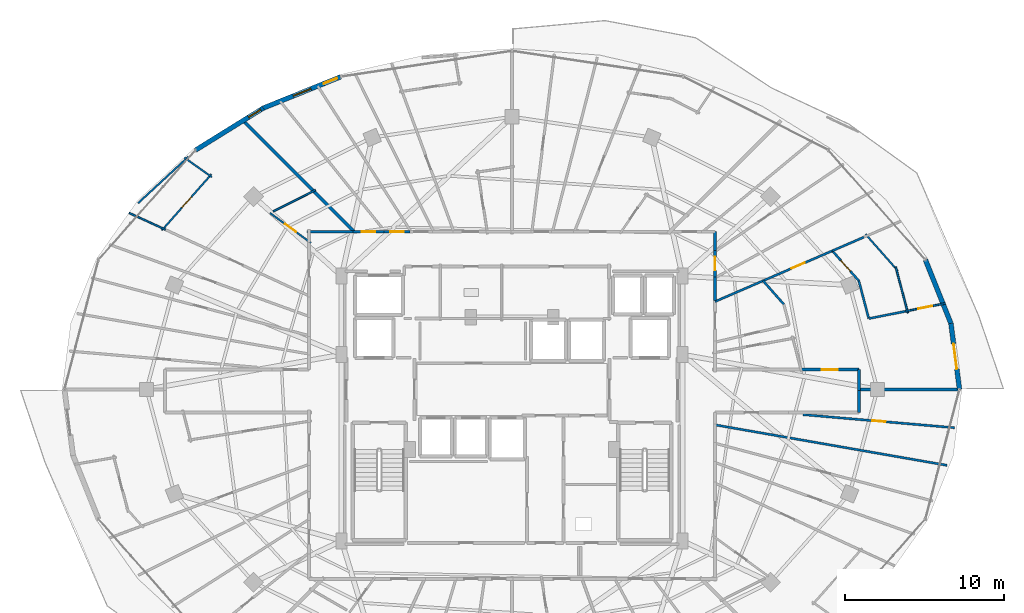
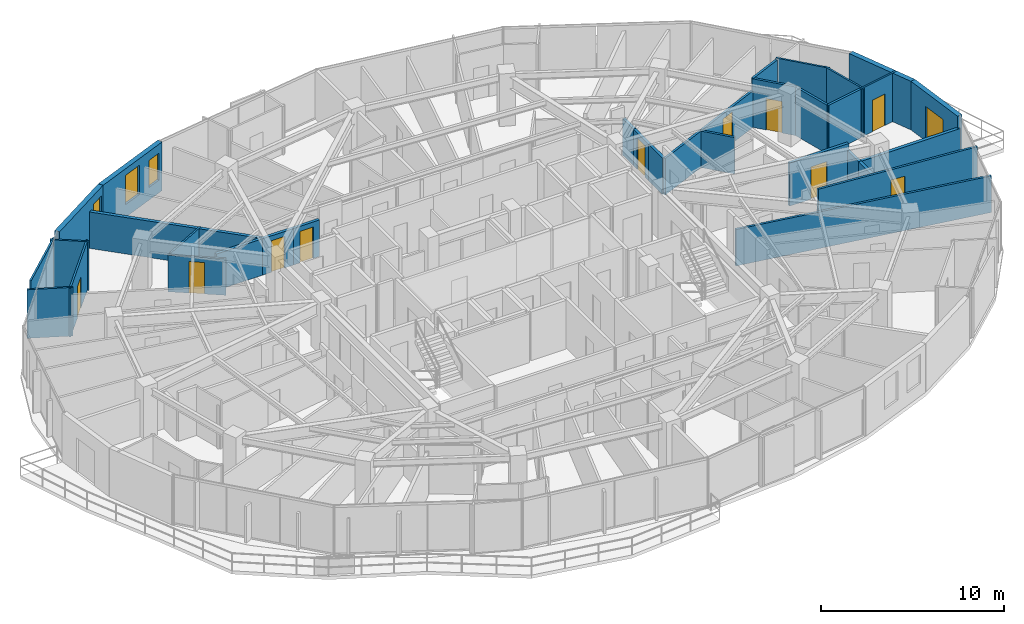
# One storey, part 28 of 33: 33 walls, 11 doors, 3 windows, 14 openings.
"""IFC4 building model written with IfcOpenShell, lengths in metres."""

from ifc_helpers import new_model, si_unit, direction, frame, frame_2d, origin, place, context, subcontext, project, spatial, rectangle, extrude, material, layer, layer_set, type_object, element, fill, save


model = new_model("IFC4")

# Units and contexts
model_context = context("Model", 3, precision=1e-05, world=origin(), true_north=direction((0.0, 1.0)))
body_context = subcontext(model_context, "Body", "Model", "MODEL_VIEW")
ifc_project = project(units=[si_unit("LENGTHUNIT", "METRE"), si_unit("AREAUNIT", "SQUARE_METRE"), si_unit("VOLUMEUNIT", "CUBIC_METRE"), si_unit("PLANEANGLEUNIT", "RADIAN"), si_unit("MASSUNIT", "GRAM", prefix="KILO")], contexts=[model_context])

# Site, building, storey
site_placement = place(None, origin())
site = spatial("IfcSite", under=ifc_project, at=site_placement, CompositionType="ELEMENT")
building_placement = place(site_placement, origin())
building = spatial("IfcBuilding", under=site, at=building_placement, Name="Vorneva Point Tower", CompositionType="ELEMENT")
storey_placement = place(building_placement, frame((0.0, 0.0, 179.10009765625)))
storey = spatial("IfcBuildingStorey", under=building, at=storey_placement, Name="L48", CompositionType="ELEMENT", Elevation=179.10009765625)

# Wall, opening, door
ifc_material_1 = material(Name="Precast concrete B50 (C40/50)", Category="concrete")
ifc_layer_1 = layer(ifc_material_1, 0.300048828125)
ifc_layer_set_1 = layer_set([ifc_layer_1], Name="Precast concrete B50 (C40/50)")
wall_type_1 = type_object("IfcWallType", Name="WL-EXT-300", PredefinedType="STANDARD", material=ifc_layer_set_1)
wall_1_placement = place(storey_placement, frame((66.22998046875, 26.0, 0.0), z_axis=(0.0, 0.0, 1.0), x_axis=(-0.129147853268, 0.991625348605, 0.0)))
wall_1 = element("IfcWall", 1, at=wall_1_placement, inside=storey, type_object=wall_type_1, Name="L48 Pale-Metal Facade Spandrel Wall 01.1", PredefinedType="STANDARD", context=body_context, shape_type="SweptSolid", body=[
    extrude(rectangle(XDim=4.200439453125, YDim=0.300048828125, at=frame_2d((2.10009765625, 0.0))), origin(), (0.0, 0.0, 1.0), 3.239990234375),
])
opening_1_placement = place(wall_1_placement, frame((1.30029296875, 0.0, 0.0)))
opening_1 = element("IfcOpeningElement", 2, at=opening_1_placement, cuts=wall_1, Name="Opening BD-01", PredefinedType="OPENING", context=body_context, shape_type="SweptSolid", body=[
    extrude(rectangle(XDim=1.60009765625, YDim=2.300048828125, at=frame_2d((0.800048828125, 1.14990234375))), frame((0.0, 0.1650390625, 0.0), z_axis=(0.0, -1.0, 0.0), x_axis=(1.0, 0.0, 0.0)), (0.0, 0.0, 1.0), 0.329833984375),
])
ifc_material_2 = material(Name="Pale anodised aluminium", Category="aluminium")
door_type_1 = type_object("IfcDoorType", Name="DR-BAL-1600", OperationType="SLIDING_TO_LEFT", PredefinedType="DOOR", material=ifc_material_2)
door_1_placement = place(opening_1_placement, origin())
door_1 = element("IfcDoor", 3, at=door_1_placement, inside=storey, type_object=door_type_1, Name="L48 Balcony Terrace Access Door 01", OperationType="SLIDING_TO_LEFT", OverallHeight=2.300048828125, OverallWidth=1.60009765625, PredefinedType="DOOR", context=body_context, shape_type="SweptSolid", body=[
    extrude(rectangle(XDim=1.60009765625, YDim=2.300048828125, at=frame_2d((0.800048828125, 1.14990234375))), frame((0.0, 0.02490234375, 0.0), z_axis=(0.0, -1.0, 0.0), x_axis=(1.0, 0.0, 0.0)), (0.0, 0.0, 1.0), 0.050048828125),
])
fill(opening_1, door_1)

# Wall
wall_2_placement = place(storey_placement, frame((65.6875, 30.165283203125, 0.0), z_axis=(0.0, 0.0, 1.0), x_axis=(-0.372268409848, 0.928125116043, 0.0)))
element("IfcWall", 4, at=wall_2_placement, inside=storey, type_object=wall_type_1, Name="L48 Pale-Metal Facade Spandrel Wall 01.2", PredefinedType="STANDARD", context=body_context, shape_type="SweptSolid", body=[
    extrude(rectangle(XDim=4.315185546875, YDim=0.300048828125, at=frame_2d((2.15771484375, 0.0))), origin(), (0.0, 0.0, 1.0), 3.239990234375),
])

# Wall, openings, windows
wall_3_placement = place(storey_placement, frame((27.19677734375, 45.724853515625, 0.0), z_axis=(0.0, 0.0, 1.0), x_axis=(-0.927111094334, -0.374786630981, 0.0)))
wall_3 = element("IfcWall", 5, at=wall_3_placement, inside=storey, type_object=wall_type_1, Name="L48 Pale-Metal Facade Spandrel Wall 06.1", PredefinedType="STANDARD", context=body_context, shape_type="SweptSolid", body=[
    extrude(rectangle(XDim=5.26416015625, YDim=0.300048828125, at=frame_2d((2.632080078125, 0.0))), origin(), (0.0, 0.0, 1.0), 3.239990234375),
])
opening_2_placement = place(wall_3_placement, frame((0.25830078125, 0.0, 0.85009765625)))
opening_2 = element("IfcOpeningElement", 6, at=opening_2_placement, cuts=wall_3, Name="Opening W-08", PredefinedType="OPENING", context=body_context, shape_type="SweptSolid", body=[
    extrude(rectangle(XDim=0.89990234375, YDim=1.800048828125, at=frame_2d((0.449951171875, 0.89990234375))), frame((0.0, 0.1650390625, 0.0), z_axis=(0.0, -1.0, 0.0), x_axis=(1.0, 0.0, 0.0)), (0.0, 0.0, 1.0), 0.329833984375),
])
opening_3_placement = place(wall_3_placement, frame((2.031982421875, 0.0, 0.85009765625)))
opening_3 = element("IfcOpeningElement", 7, at=opening_3_placement, cuts=wall_3, Name="Opening W-04", PredefinedType="OPENING", context=body_context, shape_type="SweptSolid", body=[
    extrude(rectangle(XDim=1.199951171875, YDim=1.949951171875, at=frame_2d((0.60009765625, 0.97509765625))), frame((0.0, 0.1650390625, 0.0), z_axis=(0.0, -1.0, 0.0), x_axis=(1.0, 0.0, 0.0)), (0.0, 0.0, 1.0), 0.329833984375),
])
ifc_material_3 = material(Name="Double low-e laminated glass IGU", Category="glass")
window_type_1 = type_object("IfcWindowType", Name="WN-CAS-900", PartitioningType="SINGLE_PANEL", PredefinedType="WINDOW", material=ifc_material_3)
window_1_placement = place(opening_2_placement, origin())
window_1 = element("IfcWindow", 8, at=window_1_placement, inside=storey, type_object=window_type_1, Name="L48 Dwelling Vision Window 01", OverallHeight=1.800048828125, OverallWidth=0.89990234375, PartitioningType="SINGLE_PANEL", PredefinedType="WINDOW", context=body_context, shape_type="SweptSolid", body=[
    extrude(rectangle(XDim=0.89990234375, YDim=1.800048828125, at=frame_2d((0.449951171875, 0.89990234375))), frame((0.0, 0.030029296875, 0.0), z_axis=(0.0, -1.0, 0.0), x_axis=(1.0, 0.0, 0.0)), (0.0, 0.0, 1.0), 0.06005859375),
])
fill(opening_2, window_1)
window_type_2 = type_object("IfcWindowType", Name="WN-RES-1200", PartitioningType="SINGLE_PANEL", PredefinedType="WINDOW", material=ifc_material_3)
window_2_placement = place(opening_3_placement, origin())
window_2 = element("IfcWindow", 9, at=window_2_placement, inside=storey, type_object=window_type_2, Name="L48 Dwelling Vision Window 02", OverallHeight=1.949951171875, OverallWidth=1.199951171875, PartitioningType="SINGLE_PANEL", PredefinedType="WINDOW", context=body_context, shape_type="SweptSolid", body=[
    extrude(rectangle(XDim=1.199951171875, YDim=1.949951171875, at=frame_2d((0.60009765625, 0.97509765625))), frame((0.0, 0.030029296875, 0.0), z_axis=(0.0, -1.0, 0.0), x_axis=(1.0, 0.0, 0.0)), (0.0, 0.0, 1.0), 0.06005859375),
])
fill(opening_3, window_2)

# Wall, opening, window
wall_4_placement = place(storey_placement, frame((22.31640625, 43.751953125, 0.0), z_axis=(0.0, 0.0, 1.0), x_axis=(-0.849647657754, -0.527350791858, 0.0)))
wall_4 = element("IfcWall", 10, at=wall_4_placement, inside=storey, type_object=wall_type_1, Name="L48 Pale-Metal Facade Spandrel Wall 06.2", PredefinedType="STANDARD", context=body_context, shape_type="SweptSolid", body=[
    extrude(rectangle(XDim=5.03515625, YDim=0.300048828125, at=frame_2d((2.517578125, 0.0))), origin(), (0.0, 0.0, 1.0), 3.239990234375),
])
opening_4_placement = place(wall_4_placement, frame((0.19921875, 0.0, 0.85009765625)))
opening_4 = element("IfcOpeningElement", 11, at=opening_4_placement, cuts=wall_4, Name="Opening W-08", PredefinedType="OPENING", context=body_context, shape_type="SweptSolid", body=[
    extrude(rectangle(XDim=0.89990234375, YDim=1.800048828125, at=frame_2d((0.449951171875, 0.89990234375))), frame((0.0, 0.1650390625, 0.0), z_axis=(0.0, -1.0, 0.0), x_axis=(1.0, 0.0, 0.0)), (0.0, 0.0, 1.0), 0.329833984375),
])
window_3_placement = place(opening_4_placement, origin())
window_3 = element("IfcWindow", 12, at=window_3_placement, inside=storey, type_object=window_type_1, Name="L48 Dwelling Vision Window 03", OverallHeight=1.800048828125, OverallWidth=0.89990234375, PartitioningType="SINGLE_PANEL", PredefinedType="WINDOW", context=body_context, shape_type="SweptSolid", body=[
    extrude(rectangle(XDim=0.89990234375, YDim=1.800048828125, at=frame_2d((0.449951171875, 0.89990234375))), frame((0.0, 0.030029296875, 0.0), z_axis=(0.0, -1.0, 0.0), x_axis=(1.0, 0.0, 0.0)), (0.0, 0.0, 1.0), 0.06005859375),
])
fill(opening_4, window_3)

# Wall, opening, door
ifc_material_4 = material(Name="Fire-rated acoustic gypsum stud partition", Category="gypsum")
ifc_layer_2 = layer(ifc_material_4, 0.110107421875)
ifc_layer_set_2 = layer_set([ifc_layer_2], Name="Fire-rated acoustic gypsum stud partition")
wall_type_2 = type_object("IfcWallType", Name="WL-PART-110", PredefinedType="PARTITIONING", material=ifc_layer_set_2)
wall_5_placement = place(storey_placement, frame((65.327392578125, 31.42724609375, 0.0), z_axis=(0.0, 0.0, 1.0), x_axis=(-0.980809558385, -0.194968228644, 0.0)))
wall_5 = element("IfcWall", 13, at=wall_5_placement, inside=storey, type_object=wall_type_2, Name="L48 Interior Partition 094", PredefinedType="PARTITIONING", context=body_context, shape_type="SweptSolid", body=[
    extrude(rectangle(XDim=2.5771484375, YDim=0.110107421875, at=frame_2d((1.28857421875, 0.0))), origin(), (0.0, 0.0, 1.0), 3.239990234375),
])
opening_5_placement = place(wall_5_placement, frame((0.83837890625, 0.0, 0.0)))
opening_5 = element("IfcOpeningElement", 14, at=opening_5_placement, cuts=wall_5, Name="Opening ID-01", PredefinedType="OPENING", context=body_context, shape_type="SweptSolid", body=[
    extrude(rectangle(XDim=0.89990234375, YDim=2.10009765625, at=frame_2d((0.449951171875, 1.050048828125))), frame((0.0, 0.06982421875, 0.0), z_axis=(0.0, -1.0, 0.0), x_axis=(1.0, 0.0, 0.0)), (0.0, 0.0, 1.0), 0.139892578125),
])
ifc_material_5 = material(Name="Engineered oak fire-rated door leaf", Category="wood")
door_type_2 = type_object("IfcDoorType", Name="DR-ROOM-900", OperationType="NOTDEFINED", PredefinedType="DOOR", material=ifc_material_5)
door_2_placement = place(opening_5_placement, origin())
door_2 = element("IfcDoor", 15, at=door_2_placement, inside=storey, type_object=door_type_2, Name="L48 Door Living and Dining Room L48-01 / Kitchen L48-01", OperationType="SINGLE_SWING_RIGHT", OverallHeight=2.10009765625, OverallWidth=0.89990234375, PredefinedType="DOOR", context=body_context, shape_type="SweptSolid", body=[
    extrude(rectangle(XDim=0.89990234375, YDim=2.10009765625, at=frame_2d((0.449951171875, 1.050048828125))), frame((0.0, 0.02490234375, 0.0), z_axis=(0.0, -1.0, 0.0), x_axis=(1.0, 0.0, 0.0)), (0.0, 0.0, 1.0), 0.050048828125),
])
fill(opening_5, door_2)

# Walls
wall_6_placement = place(storey_placement, frame((60.29833984375, 35.7939453125, 0.0), z_axis=(0.0, 0.0, 1.0), x_axis=(0.662277588726, -0.74925856383, 0.0)))
element("IfcWall", 16, at=wall_6_placement, inside=storey, type_object=wall_type_2, Name="L48 Interior Partition 102", PredefinedType="PARTITIONING", context=body_context, shape_type="SweptSolid", body=[
    extrude(rectangle(XDim=3.076171875, YDim=0.110107421875, at=frame_2d((1.5380859375, 0.0))), origin(), (0.0, 0.0, 1.0), 3.239990234375),
])
wall_7_placement = place(storey_placement, frame((62.20751953125, 33.7294921875, 0.0), z_axis=(0.0, 0.0, 1.0), x_axis=(0.254058335644, -0.967188896798, 0.0)))
element("IfcWall", 17, at=wall_7_placement, inside=storey, type_object=wall_type_2, Name="L48 Interior Partition 103", PredefinedType="PARTITIONING", context=body_context, shape_type="SweptSolid", body=[
    extrude(rectangle(XDim=3.01171875, YDim=0.110107421875, at=frame_2d((1.505859375, 0.0))), origin(), (0.0, 0.0, 1.0), 3.239990234375),
])

# Wall, opening, door
wall_8_placement = place(storey_placement, frame((25.31298828125, 35.24755859375, 0.0), z_axis=(0.0, 0.0, 1.0), x_axis=(-0.807968083988, 0.58922625133, 0.0)))
wall_8 = element("IfcWall", 18, at=wall_8_placement, inside=storey, type_object=wall_type_2, Name="L48 Interior Partition 131", PredefinedType="PARTITIONING", context=body_context, shape_type="SweptSolid", body=[
    extrude(rectangle(XDim=3.192138671875, YDim=0.110107421875, at=frame_2d((1.59619140625, 0.0))), origin(), (0.0, 0.0, 1.0), 2.431884765625),
])
opening_6_placement = place(wall_8_placement, frame((1.171142578125, 0.0, 0.0)))
opening_6 = element("IfcOpeningElement", 19, at=opening_6_placement, cuts=wall_8, Name="Opening ID-02", PredefinedType="OPENING", context=body_context, shape_type="SweptSolid", body=[
    extrude(rectangle(XDim=0.85009765625, YDim=2.10009765625, at=frame_2d((0.425048828125, 1.050048828125))), frame((0.0, 0.06982421875, 0.0), z_axis=(0.0, -1.0, 0.0), x_axis=(1.0, 0.0, 0.0)), (0.0, 0.0, 1.0), 0.139892578125),
])
door_type_3 = type_object("IfcDoorType", Name="DR-BATH-850", OperationType="NOTDEFINED", PredefinedType="DOOR", material=ifc_material_5)
door_3_placement = place(opening_6_placement, origin())
door_3 = element("IfcDoor", 20, at=door_3_placement, inside=storey, type_object=door_type_3, Name="L48 Door Living and Dining Room L48-04 / Bathroom L48-04", OperationType="SINGLE_SWING_LEFT", OverallHeight=2.10009765625, OverallWidth=0.85009765625, PredefinedType="DOOR", context=body_context, shape_type="SweptSolid", body=[
    extrude(rectangle(XDim=0.85009765625, YDim=2.10009765625, at=frame_2d((0.425048828125, 1.050048828125))), frame((0.0, 0.02490234375, 0.0), z_axis=(0.0, -1.0, 0.0), x_axis=(1.0, 0.0, 0.0)), (0.0, 0.0, 1.0), 0.050048828125),
])
fill(opening_6, door_3)

# Walls
wall_9_placement = place(storey_placement, frame((22.941162109375, 37.23095703125, 0.0), z_axis=(0.0, 0.0, 1.0), x_axis=(0.892507731149, 0.451032094024, 0.0)))
element("IfcWall", 21, at=wall_9_placement, inside=storey, type_object=wall_type_2, Name="L48 Interior Partition 132", PredefinedType="PARTITIONING", context=body_context, shape_type="SweptSolid", body=[
    extrude(rectangle(XDim=2.989013671875, YDim=0.110107421875, at=frame_2d((1.49462890625, 0.0))), origin(), (0.0, 0.0, 1.0), 2.431884765625),
])
wall_10_placement = place(storey_placement, frame((17.32763671875, 40.6259765625, 0.0), z_axis=(0.0, 0.0, 1.0), x_axis=(0.816262906602, -0.577680592807, 0.0)))
element("IfcWall", 22, at=wall_10_placement, inside=storey, type_object=wall_type_2, Name="L48 Interior Partition 133", PredefinedType="PARTITIONING", context=body_context, shape_type="SweptSolid", body=[
    extrude(rectangle(XDim=2.132568359375, YDim=0.110107421875, at=frame_2d((1.06640625, 0.0))), origin(), (0.0, 0.0, 1.0), 3.239990234375),
])

# Wall, opening, door
wall_11_placement = place(storey_placement, frame((19.046630859375, 39.579833984375, 0.0), z_axis=(0.0, 0.0, 1.0), x_axis=(-0.662189711464, -0.749336230294, 0.0)))
wall_11 = element("IfcWall", 23, at=wall_11_placement, inside=storey, type_object=wall_type_2, Name="L48 Interior Partition 134", PredefinedType="PARTITIONING", context=body_context, shape_type="SweptSolid", body=[
    extrude(rectangle(XDim=4.731689453125, YDim=0.110107421875, at=frame_2d((2.36572265625, 0.0))), origin(), (0.0, 0.0, 1.0), 3.239990234375),
])
opening_7_placement = place(wall_11_placement, frame((1.916015625, 0.0, 0.0)))
opening_7 = element("IfcOpeningElement", 24, at=opening_7_placement, cuts=wall_11, Name="Opening ID-01", PredefinedType="OPENING", context=body_context, shape_type="SweptSolid", body=[
    extrude(rectangle(XDim=0.89990234375, YDim=2.10009765625, at=frame_2d((0.449951171875, 1.050048828125))), frame((0.0, 0.06982421875, 0.0), z_axis=(0.0, -1.0, 0.0), x_axis=(1.0, 0.0, 0.0)), (0.0, 0.0, 1.0), 0.139892578125),
])
door_4_placement = place(opening_7_placement, origin())
door_4 = element("IfcDoor", 25, at=door_4_placement, inside=storey, type_object=door_type_2, Name="L48 Door Living and Dining Room L48-04 / Kitchen L48-04", OperationType="SINGLE_SWING_RIGHT", OverallHeight=2.10009765625, OverallWidth=0.89990234375, PredefinedType="DOOR", context=body_context, shape_type="SweptSolid", body=[
    extrude(rectangle(XDim=0.89990234375, YDim=2.10009765625, at=frame_2d((0.449951171875, 1.050048828125))), frame((0.0, 0.02490234375, 0.0), z_axis=(0.0, -1.0, 0.0), x_axis=(1.0, 0.0, 0.0)), (0.0, 0.0, 1.0), 0.050048828125),
])
fill(opening_7, door_4)

# Walls
wall_12_placement = place(storey_placement, frame((17.58984375, 40.681884765625, 0.0), z_axis=(0.0, 0.0, 1.0), x_axis=(-0.734861902375, -0.678216768031, 0.0)))
element("IfcWall", 26, at=wall_12_placement, inside=storey, type_object=wall_type_2, Name="L48 Interior Partition 135", PredefinedType="PARTITIONING", context=body_context, shape_type="SweptSolid", body=[
    extrude(rectangle(XDim=4.322998046875, YDim=0.110107421875, at=frame_2d((2.16162109375, 0.0))), origin(), (0.0, 0.0, 1.0), 3.239990234375),
])
wall_13_placement = place(storey_placement, frame((13.846923828125, 37.134521484375, 0.0), z_axis=(0.0, 0.0, 1.0), x_axis=(0.908101251341, -0.418750662462, 0.0)))
element("IfcWall", 27, at=wall_13_placement, inside=storey, type_object=wall_type_2, Name="L48 Interior Partition 137", PredefinedType="PARTITIONING", context=body_context, shape_type="SweptSolid", body=[
    extrude(rectangle(XDim=2.517578125, YDim=0.110107421875, at=frame_2d((1.2587890625, 0.0))), origin(), (0.0, 0.0, 1.0), 3.239990234375),
])
ifc_layer_3 = layer(ifc_material_4, 0.139892578125)
ifc_layer_set_3 = layer_set([ifc_layer_3], Name="Fire-rated acoustic gypsum stud partition")
wall_type_3 = type_object("IfcWallType", Name="WL-PART-140", PredefinedType="PARTITIONING", material=ifc_layer_set_3)
wall_14_placement = place(storey_placement, frame((53.837890625, 32.85302734375, 0.0), z_axis=(0.0, 0.0, 1.0), x_axis=(0.662046229388, -0.749463001191, 0.0)))
element("IfcWall", 28, at=wall_14_placement, inside=storey, type_object=wall_type_3, Name="L48 Interior Partition 088", PredefinedType="PARTITIONING", context=body_context, shape_type="SweptSolid", body=[
    extrude(rectangle(XDim=1.977294921875, YDim=0.139892578125, at=frame_2d((0.98876953125, 0.0))), origin(), (0.0, 0.0, 1.0), 2.431884765625),
])
wall_15_placement = place(storey_placement, frame((53.89599609375, 32.87890625, 0.0), z_axis=(0.0, 0.0, 1.0), x_axis=(-0.917742985146, -0.39717478925, 0.0)))
element("IfcWall", 29, at=wall_15_placement, inside=storey, type_object=wall_type_3, Name="L48 Interior Partition 091", PredefinedType="PARTITIONING", context=body_context, shape_type="SweptSolid", body=[
    extrude(rectangle(XDim=3.37353515625, YDim=0.139892578125, at=frame_2d((1.686767578125, 0.0))), origin(), (0.0, 0.0, 1.0), 2.431884765625),
])
wall_16_placement = place(storey_placement, frame((62.7998046875, 30.9248046875, 0.0), z_axis=(0.0, 0.0, 1.0), x_axis=(-0.980840670114, -0.194811652245, 0.0)))
element("IfcWall", 30, at=wall_16_placement, inside=storey, type_object=wall_type_3, Name="L48 Interior Partition 096", PredefinedType="PARTITIONING", context=body_context, shape_type="SweptSolid", body=[
    extrude(rectangle(XDim=2.33984375, YDim=0.139892578125, at=frame_2d((1.169921875, 0.0))), origin(), (0.0, 0.0, 1.0), 3.239990234375),
])
wall_17_placement = place(storey_placement, frame((60.5048828125, 30.468994140625, 0.0), z_axis=(0.0, 0.0, 1.0), x_axis=(-0.254702896388, 0.967019355841, 0.0)))
element("IfcWall", 31, at=wall_17_placement, inside=storey, type_object=wall_type_3, Name="L48 Interior Partition 097", PredefinedType="PARTITIONING", context=body_context, shape_type="SweptSolid", body=[
    extrude(rectangle(XDim=2.46533203125, YDim=0.139892578125, at=frame_2d((1.232666015625, 0.0))), origin(), (0.0, 0.0, 1.0), 3.239990234375),
])

# Wall, opening, door
wall_18_placement = place(storey_placement, frame((59.876953125, 32.85302734375, 0.0), z_axis=(0.0, 0.0, 1.0), x_axis=(-0.661957655691, 0.749541234404, 0.0)))
wall_18 = element("IfcWall", 32, at=wall_18_placement, inside=storey, type_object=wall_type_3, Name="L48 Interior Partition 098", PredefinedType="PARTITIONING", context=body_context, shape_type="SweptSolid", body=[
    extrude(rectangle(XDim=2.522705078125, YDim=0.139892578125, at=frame_2d((1.26123046875, 0.0))), origin(), (0.0, 0.0, 1.0), 3.239990234375),
])
opening_8_placement = place(wall_18_placement, frame((0.811279296875, 0.0, 0.0)))
opening_8 = element("IfcOpeningElement", 33, at=opening_8_placement, cuts=wall_18, Name="Opening ID-01", PredefinedType="OPENING", context=body_context, shape_type="SweptSolid", body=[
    extrude(rectangle(XDim=0.89990234375, YDim=2.10009765625, at=frame_2d((0.449951171875, 1.050048828125))), frame((0.0, 0.0849609375, 0.0), z_axis=(0.0, -1.0, 0.0), x_axis=(1.0, 0.0, 0.0)), (0.0, 0.0, 1.0), 0.169677734375),
])
door_5_placement = place(opening_8_placement, origin())
door_5 = element("IfcDoor", 34, at=door_5_placement, inside=storey, type_object=door_type_2, Name="L48 Door Living and Dining Room L48-01 / Study Room L48-01", OperationType="SINGLE_SWING_RIGHT", OverallHeight=2.10009765625, OverallWidth=0.89990234375, PredefinedType="DOOR", context=body_context, shape_type="SweptSolid", body=[
    extrude(rectangle(XDim=0.89990234375, YDim=2.10009765625, at=frame_2d((0.449951171875, 1.050048828125))), frame((0.0, 0.02490234375, 0.0), z_axis=(0.0, -1.0, 0.0), x_axis=(1.0, 0.0, 0.0)), (0.0, 0.0, 1.0), 0.050048828125),
])
fill(opening_8, door_5)

# Wall
wall_19_placement = place(storey_placement, frame((58.20703125, 34.743896484375, 0.0), z_axis=(0.0, 0.0, 1.0), x_axis=(0.917748928086, 0.397161056748, 0.0)))
element("IfcWall", 35, at=wall_19_placement, inside=storey, type_object=wall_type_3, Name="L48 Interior Partition 099", PredefinedType="PARTITIONING", context=body_context, shape_type="SweptSolid", body=[
    extrude(rectangle(XDim=2.1796875, YDim=0.139892578125, at=frame_2d((1.08984375, 0.0))), origin(), (0.0, 0.0, 1.0), 3.239990234375),
])

# Wall, opening, door
wall_20_placement = place(storey_placement, frame((58.206787109375, 34.744140625, 0.0), z_axis=(0.0, 0.0, 1.0), x_axis=(-0.917771035239, -0.397109968241, 0.0)))
wall_20 = element("IfcWall", 36, at=wall_20_placement, inside=storey, type_object=wall_type_3, Name="L48 Interior Partition 100", PredefinedType="PARTITIONING", context=body_context, shape_type="SweptSolid", body=[
    extrude(rectangle(XDim=4.697021484375, YDim=0.139892578125, at=frame_2d((2.3486328125, 0.0))), origin(), (0.0, 0.0, 1.0), 2.431884765625),
])
opening_9_placement = place(wall_20_placement, frame((1.8984375, 0.0, 0.0)))
opening_9 = element("IfcOpeningElement", 37, at=opening_9_placement, cuts=wall_20, Name="Opening ID-01", PredefinedType="OPENING", context=body_context, shape_type="SweptSolid", body=[
    extrude(rectangle(XDim=0.89990234375, YDim=2.10009765625, at=frame_2d((0.449951171875, 1.050048828125))), frame((0.0, 0.0849609375, 0.0), z_axis=(0.0, -1.0, 0.0), x_axis=(1.0, 0.0, 0.0)), (0.0, 0.0, 1.0), 0.169677734375),
])
door_6_placement = place(opening_9_placement, origin())
door_6 = element("IfcDoor", 38, at=door_6_placement, inside=storey, type_object=door_type_2, Name="L48 Door Living and Dining Room L48-01 / Master Bedroom L48-01.1", OperationType="SINGLE_SWING_RIGHT", OverallHeight=2.10009765625, OverallWidth=0.89990234375, PredefinedType="DOOR", context=body_context, shape_type="SweptSolid", body=[
    extrude(rectangle(XDim=0.89990234375, YDim=2.10009765625, at=frame_2d((0.449951171875, 1.050048828125))), frame((0.0, 0.02490234375, 0.0), z_axis=(0.0, -1.0, 0.0), x_axis=(1.0, 0.0, 0.0)), (0.0, 0.0, 1.0), 0.050048828125),
])
fill(opening_9, door_6)

# Wall
wall_21_placement = place(storey_placement, frame((65.43505859375, 21.2119140625, 0.0), z_axis=(0.0, 0.0, 1.0), x_axis=(-0.985109541297, 0.171927867563, 0.0)))
element("IfcWall", 39, at=wall_21_placement, inside=storey, type_object=wall_type_3, Name="L48 Interior Partition 187", PredefinedType="PARTITIONING", context=body_context, shape_type="SweptSolid", body=[
    extrude(rectangle(XDim=14.856201171875, YDim=0.139892578125, at=frame_2d((7.42822265625, 0.0))), origin(), (0.0, 0.0, 1.0), 2.431884765625),
])

# Wall, opening, door
wall_22_placement = place(storey_placement, frame((65.9140625, 23.58203125, 0.0), z_axis=(0.0, 0.0, 1.0), x_axis=(-0.99626832952, 0.086309997072, 0.0)))
wall_22 = element("IfcWall", 40, at=wall_22_placement, inside=storey, type_object=wall_type_3, Name="L48 Interior Partition 188", PredefinedType="PARTITIONING", context=body_context, shape_type="SweptSolid", body=[
    extrude(rectangle(XDim=9.592041015625, YDim=0.139892578125, at=frame_2d((4.7958984375, 0.0))), origin(), (0.0, 0.0, 1.0), 2.77392578125),
])
opening_10_placement = place(wall_22_placement, frame((4.37109375, 0.0, 0.0)))
opening_10 = element("IfcOpeningElement", 41, at=opening_10_placement, cuts=wall_22, Name="Opening ID-02", PredefinedType="OPENING", context=body_context, shape_type="SweptSolid", body=[
    extrude(rectangle(XDim=0.85009765625, YDim=2.10009765625, at=frame_2d((0.425048828125, 1.050048828125))), frame((0.0, 0.0849609375, 0.0), z_axis=(0.0, -1.0, 0.0), x_axis=(1.0, 0.0, 0.0)), (0.0, 0.0, 1.0), 0.169677734375),
])
door_7_placement = place(opening_10_placement, origin())
door_7 = element("IfcDoor", 42, at=door_7_placement, inside=storey, type_object=door_type_3, Name="L48 Access Door Bedroom L48-08.4", OperationType="SINGLE_SWING_LEFT", OverallHeight=2.10009765625, OverallWidth=0.85009765625, PredefinedType="DOOR", context=body_context, shape_type="SweptSolid", body=[
    extrude(rectangle(XDim=0.85009765625, YDim=2.10009765625, at=frame_2d((0.425048828125, 1.050048828125))), frame((0.0, 0.02490234375, 0.0), z_axis=(0.0, -1.0, 0.0), x_axis=(1.0, 0.0, 0.0)), (0.0, 0.0, 1.0), 0.050048828125),
])
fill(opening_10, door_7)

# Wall
ifc_material_6 = material(Name="Autoclaved aerated concrete blockwork", Category="masonry")
ifc_layer_4 = layer(ifc_material_6, 0.179931640625)
ifc_layer_set_4 = layer_set([ifc_layer_4], Name="Autoclaved aerated concrete blockwork")
wall_type_4 = type_object("IfcWallType", Name="WL-PART-180", PredefinedType="PARTITIONING", material=ifc_layer_set_4)
wall_23_placement = place(storey_placement, frame((59.89990234375, 25.93994140625, 0.0), z_axis=(0.0, 0.0, 1.0), x_axis=(0.0, 1.0, 0.0)))
element("IfcWall", 43, at=wall_23_placement, inside=storey, type_object=wall_type_4, Name="L48 Interior Partition 026", PredefinedType="PARTITIONING", context=body_context, shape_type="SweptSolid", body=[
    extrude(rectangle(XDim=1.31005859375, YDim=0.179931640625, at=frame_2d((0.655029296875, 0.0))), origin(), (0.0, 0.0, 1.0), 2.431884765625),
])

# Wall, opening, door
wall_24_placement = place(storey_placement, frame((59.89990234375, 27.25, 0.0), z_axis=(0.0, 0.0, 1.0), x_axis=(-1.0, 0.0, 0.0)))
wall_24 = element("IfcWall", 44, at=wall_24_placement, inside=storey, type_object=wall_type_4, Name="L48 Interior Partition 027", PredefinedType="PARTITIONING", context=body_context, shape_type="SweptSolid", body=[
    extrude(rectangle(XDim=3.73095703125, YDim=0.179931640625, at=frame_2d((1.865478515625, 0.0))), origin(), (0.0, 0.0, 1.0), 2.8740234375),
])
opening_11_placement = place(wall_24_placement, frame((1.365478515625, 0.0, 0.0)))
opening_11 = element("IfcOpeningElement", 45, at=opening_11_placement, cuts=wall_24, Name="Opening UD-01", PredefinedType="OPENING", context=body_context, shape_type="SweptSolid", body=[
    extrude(rectangle(XDim=1.0, YDim=2.14990234375, at=frame_2d((0.5, 1.074951171875))), frame((0.0, 0.10498046875, 0.0), z_axis=(0.0, -1.0, 0.0), x_axis=(1.0, 0.0, 0.0)), (0.0, 0.0, 1.0), 0.209716796875),
])
door_type_4 = type_object("IfcDoorType", Name="DR-UNIT-1000", OperationType="NOTDEFINED", PredefinedType="DOOR", material=ifc_material_5)
door_8_placement = place(opening_11_placement, origin())
door_8 = element("IfcDoor", 46, at=door_8_placement, inside=storey, type_object=door_type_4, Name="L48 Door L48 Circulation Corridor / Living and Dining Room L48-01", OperationType="SINGLE_SWING_LEFT", OverallHeight=2.14990234375, OverallWidth=1.0, PredefinedType="DOOR", context=body_context, shape_type="SweptSolid", body=[
    extrude(rectangle(XDim=1.0, YDim=2.14990234375, at=frame_2d((0.5, 1.074951171875))), frame((0.0, 0.02490234375, 0.0), z_axis=(0.0, -1.0, 0.0), x_axis=(1.0, 0.0, 0.0)), (0.0, 0.0, 1.0), 0.050048828125),
])
fill(opening_11, door_8)

# Wall
wall_25_placement = place(storey_placement, frame((50.800048828125, 31.60400390625, 0.0), z_axis=(0.0, 0.0, 1.0), x_axis=(0.0, 1.0, 0.0)))
element("IfcWall", 47, at=wall_25_placement, inside=storey, type_object=wall_type_4, Name="L48 Interior Partition 032", PredefinedType="PARTITIONING", context=body_context, shape_type="SweptSolid", body=[
    extrude(rectangle(XDim=1.5009765625, YDim=0.179931640625, at=frame_2d((0.75048828125, 0.0))), origin(), (0.0, 0.0, 1.0), 2.431884765625),
])

# Wall, opening, door
wall_26_placement = place(storey_placement, frame((50.800048828125, 33.10498046875, 0.0), z_axis=(0.0, 0.0, 1.0), x_axis=(0.0, 1.0, 0.0)))
wall_26 = element("IfcWall", 48, at=wall_26_placement, inside=storey, type_object=wall_type_4, Name="L48 Interior Partition 033", PredefinedType="PARTITIONING", context=body_context, shape_type="SweptSolid", body=[
    extrude(rectangle(XDim=1.6669921875, YDim=0.179931640625, at=frame_2d((0.83349609375, 0.0))), origin(), (0.0, 0.0, 1.0), 2.431884765625),
])
opening_12_placement = place(wall_26_placement, frame((0.408447265625, 0.0, 0.0)))
opening_12 = element("IfcOpeningElement", 49, at=opening_12_placement, cuts=wall_26, Name="Opening ID-02", PredefinedType="OPENING", context=body_context, shape_type="SweptSolid", body=[
    extrude(rectangle(XDim=0.85009765625, YDim=2.10009765625, at=frame_2d((0.425048828125, 1.050048828125))), frame((0.0, 0.10498046875, 0.0), z_axis=(0.0, -1.0, 0.0), x_axis=(1.0, 0.0, 0.0)), (0.0, 0.0, 1.0), 0.209716796875),
])
door_9_placement = place(opening_12_placement, origin())
door_9 = element("IfcDoor", 50, at=door_9_placement, inside=storey, type_object=door_type_3, Name="L48 Access Door L48 Circulation Corridor", OperationType="SINGLE_SWING_LEFT", OverallHeight=2.10009765625, OverallWidth=0.85009765625, PredefinedType="DOOR", context=body_context, shape_type="SweptSolid", body=[
    extrude(rectangle(XDim=0.85009765625, YDim=2.10009765625, at=frame_2d((0.425048828125, 1.050048828125))), frame((0.0, 0.02490234375, 0.0), z_axis=(0.0, -1.0, 0.0), x_axis=(1.0, 0.0, 0.0)), (0.0, 0.0, 1.0), 0.050048828125),
])
fill(opening_12, door_9)

# Wall
wall_27_placement = place(storey_placement, frame((50.800048828125, 34.77197265625, 0.0), z_axis=(0.0, 0.0, 1.0), x_axis=(0.0, 1.0, 0.0)))
element("IfcWall", 51, at=wall_27_placement, inside=storey, type_object=wall_type_4, Name="L48 Interior Partition 034", PredefinedType="PARTITIONING", context=body_context, shape_type="SweptSolid", body=[
    extrude(rectangle(XDim=1.177978515625, YDim=0.179931640625, at=frame_2d((0.5888671875, 0.0))), origin(), (0.0, 0.0, 1.0), 2.431884765625),
])

# Wall, opening, door
wall_28_placement = place(storey_placement, frame((31.56005859375, 35.949951171875, 0.0), z_axis=(0.0, 0.0, 1.0), x_axis=(-1.0, 0.0, 0.0)))
wall_28 = element("IfcWall", 52, at=wall_28_placement, inside=storey, type_object=wall_type_4, Name="L48 Interior Partition 046", PredefinedType="PARTITIONING", context=body_context, shape_type="SweptSolid", body=[
    extrude(rectangle(XDim=1.64111328125, YDim=0.179931640625, at=frame_2d((0.820556640625, 0.0))), origin(), (0.0, 0.0, 1.0), 2.431884765625),
])
opening_13_placement = place(wall_28_placement, frame((0.3955078125, 0.0, 0.0)))
opening_13 = element("IfcOpeningElement", 53, at=opening_13_placement, cuts=wall_28, Name="Opening ID-02", PredefinedType="OPENING", context=body_context, shape_type="SweptSolid", body=[
    extrude(rectangle(XDim=0.85009765625, YDim=2.10009765625, at=frame_2d((0.425048828125, 1.050048828125))), frame((0.0, 0.10498046875, 0.0), z_axis=(0.0, -1.0, 0.0), x_axis=(1.0, 0.0, 0.0)), (0.0, 0.0, 1.0), 0.209716796875),
])
door_10_placement = place(opening_13_placement, origin())
door_10 = element("IfcDoor", 54, at=door_10_placement, inside=storey, type_object=door_type_3, Name="L48 Access Door L48 Circulation Corridor", OperationType="SINGLE_SWING_LEFT", OverallHeight=2.10009765625, OverallWidth=0.85009765625, PredefinedType="DOOR", context=body_context, shape_type="SweptSolid", body=[
    extrude(rectangle(XDim=0.85009765625, YDim=2.10009765625, at=frame_2d((0.425048828125, 1.050048828125))), frame((0.0, 0.02490234375, 0.0), z_axis=(0.0, -1.0, 0.0), x_axis=(1.0, 0.0, 0.0)), (0.0, 0.0, 1.0), 0.050048828125),
])
fill(opening_13, door_10)

wall_29_placement = place(storey_placement, frame((29.9189453125, 35.949951171875, 0.0), z_axis=(0.0, 0.0, 1.0), x_axis=(-1.0, 0.0, 0.0)))
wall_29 = element("IfcWall", 55, at=wall_29_placement, inside=storey, type_object=wall_type_4, Name="L48 Interior Partition 047", PredefinedType="PARTITIONING", context=body_context, shape_type="SweptSolid", body=[
    extrude(rectangle(XDim=1.953857421875, YDim=0.179931640625, at=frame_2d((0.97705078125, 0.0))), origin(), (0.0, 0.0, 1.0), 2.431884765625),
])
opening_14_placement = place(wall_29_placement, frame((0.552001953125, 0.0, 0.0)))
opening_14 = element("IfcOpeningElement", 56, at=opening_14_placement, cuts=wall_29, Name="Opening ID-02", PredefinedType="OPENING", context=body_context, shape_type="SweptSolid", body=[
    extrude(rectangle(XDim=0.85009765625, YDim=2.10009765625, at=frame_2d((0.425048828125, 1.050048828125))), frame((0.0, 0.10498046875, 0.0), z_axis=(0.0, -1.0, 0.0), x_axis=(1.0, 0.0, 0.0)), (0.0, 0.0, 1.0), 0.209716796875),
])
door_11_placement = place(opening_14_placement, origin())
door_11 = element("IfcDoor", 57, at=door_11_placement, inside=storey, type_object=door_type_3, Name="L48 Access Door L48 Circulation Corridor", OperationType="SINGLE_SWING_RIGHT", OverallHeight=2.10009765625, OverallWidth=0.85009765625, PredefinedType="DOOR", context=body_context, shape_type="SweptSolid", body=[
    extrude(rectangle(XDim=0.85009765625, YDim=2.10009765625, at=frame_2d((0.425048828125, 1.050048828125))), frame((0.0, 0.02490234375, 0.0), z_axis=(0.0, -1.0, 0.0), x_axis=(1.0, 0.0, 0.0)), (0.0, 0.0, 1.0), 0.050048828125),
])
fill(opening_14, door_11)

# Walls
wall_30_placement = place(storey_placement, frame((28.10498046875, 35.949951171875, 0.0), z_axis=(0.0, 0.0, 1.0), x_axis=(-1.0, 0.0, 0.0)))
element("IfcWall", 58, at=wall_30_placement, inside=storey, type_object=wall_type_4, Name="L48 Interior Partition 049", PredefinedType="PARTITIONING", context=body_context, shape_type="SweptSolid", body=[
    extrude(rectangle(XDim=3.044921875, YDim=0.179931640625, at=frame_2d((1.5224609375, 0.0))), origin(), (0.0, 0.0, 1.0), 2.431884765625),
])
wall_31_placement = place(storey_placement, frame((59.89990234375, 24.550048828125, 0.0), z_axis=(0.0, 0.0, 1.0), x_axis=(0.0, 1.0, 0.0)))
element("IfcWall", 59, at=wall_31_placement, inside=storey, type_object=wall_type_4, Name="L48 Interior Partition 087", PredefinedType="PARTITIONING", context=body_context, shape_type="SweptSolid", body=[
    extrude(rectangle(XDim=1.389892578125, YDim=0.179931640625, at=frame_2d((0.69482421875, 0.0))), origin(), (0.0, 0.0, 1.0), 2.431884765625),
])
ifc_layer_5 = layer(ifc_material_6, 0.199951171875)
ifc_layer_set_5 = layer_set([ifc_layer_5], Name="Autoclaved aerated concrete blockwork")
wall_type_5 = type_object("IfcWallType", Name="WL-PART-200", PredefinedType="PARTITIONING", material=ifc_layer_set_5)
wall_32_placement = place(storey_placement, frame((59.89990234375, 26.0, 0.0), z_axis=(0.0, 0.0, 1.0), x_axis=(1.0, 0.0, 0.0)))
element("IfcWall", 60, at=wall_32_placement, inside=storey, type_object=wall_type_5, Name="L48 Interior Partition 101", PredefinedType="PARTITIONING", context=body_context, shape_type="SweptSolid", body=[
    extrude(rectangle(XDim=6.3291015625, YDim=0.199951171875, at=frame_2d((3.16455078125, 0.0))), origin(), (0.0, 0.0, 1.0), 2.431884765625),
])
wall_33_placement = place(storey_placement, frame((21.041015625, 42.958984375, 0.0), z_axis=(0.0, 0.0, 1.0), x_axis=(0.707106781187, -0.707106781187, 0.0)))
element("IfcWall", 61, at=wall_33_placement, inside=storey, type_object=wall_type_5, Name="L48 Interior Partition 130", PredefinedType="PARTITIONING", context=body_context, shape_type="SweptSolid", body=[
    extrude(rectangle(XDim=9.912353515625, YDim=0.199951171875, at=frame_2d((4.9560546875, 0.0))), origin(), (0.0, 0.0, 1.0), 2.431884765625),
])

save(model, "model.ifc")
